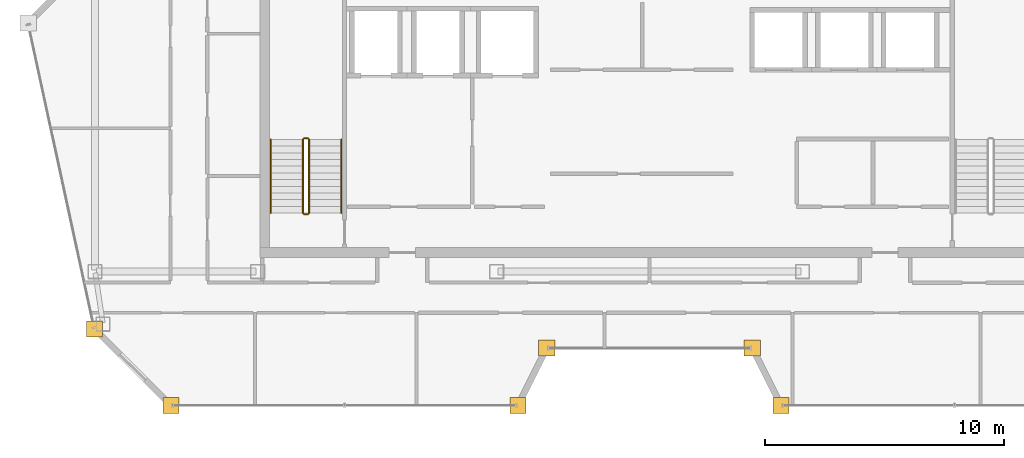
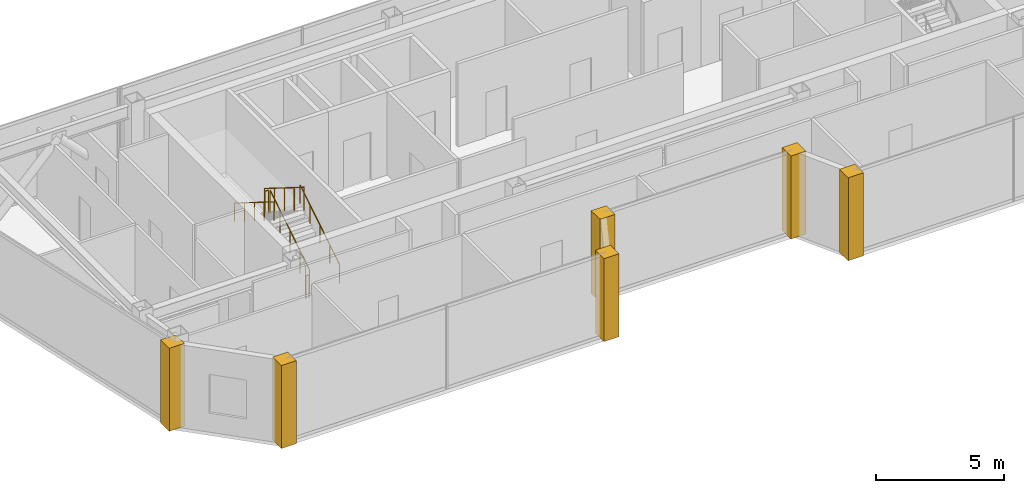
# One storey, part 18 of 20: 6 coverings, 6 railings.
"""IFC4 building model written with IfcOpenShell, lengths in metres."""

from ifc_helpers import new_model, si_unit, direction, frame, origin, origin_2d, place, context, subcontext, project, spatial, polyline, circle, outline, extrude, material, layer, layer_set, type_object, element, save


model = new_model("IFC4")

# Units and contexts
model_context = context("Model", 3, precision=1e-05, world=origin(), true_north=direction((0.0, 1.0)))
body_context = subcontext(model_context, "Body", "Model", "MODEL_VIEW")
ifc_project = project(units=[si_unit("LENGTHUNIT", "METRE"), si_unit("AREAUNIT", "SQUARE_METRE"), si_unit("VOLUMEUNIT", "CUBIC_METRE"), si_unit("PLANEANGLEUNIT", "RADIAN"), si_unit("MASSUNIT", "GRAM", prefix="KILO")], contexts=[model_context])

# Site, building, storey
site_placement = place(None, origin())
site = spatial("IfcSite", under=ifc_project, at=site_placement, CompositionType="ELEMENT")
building_placement = place(site_placement, origin())
building = spatial("IfcBuilding", under=site, at=building_placement, Name="Saevonmaru Cultural Tower", CompositionType="ELEMENT")
storey_placement = place(building_placement, frame((0.0, 0.0, 319.199951171875)))
storey = spatial("IfcBuildingStorey", under=building, at=storey_placement, Name="L76", CompositionType="ELEMENT", Elevation=319.199951171875)

# Coverings
ifc_material_1 = material(Name="Satin Bronze Anodised Aluminium", Category="aluminium")
ifc_layer = layer(ifc_material_1, 0.679931640625, Name="Satin Bronze Anodised Aluminium")
ifc_layer_set = layer_set([ifc_layer], Name="Satin Bronze Anodised Aluminium")
covering_type = type_object("IfcCoveringType", Name="CV-CORNER-CLAD", PredefinedType="CLADDING", material=ifc_layer_set)
covering_1_placement = place(storey_placement, origin())
element("IfcCovering", 1, at=covering_1_placement, inside=storey, type_object=covering_type, Name="L76 Tower Bronze Corner Cladding Pier 1", PredefinedType="CLADDING", context=body_context, shape_type="SweptSolid", body=[
    extrude(outline(polyline([(6.43310546875, 39.659912109375), (7.113037109375, 39.659912109375), (7.113037109375, 40.340087890625), (6.43310546875, 40.340087890625), (6.43310546875, 39.659912109375)])), origin(), (0.0, 0.0, 1.0), 3.949951171875),
])
covering_2_placement = place(storey_placement, origin())
element("IfcCovering", 2, at=covering_2_placement, inside=storey, type_object=covering_type, Name="L76 Tower Bronze Corner Cladding Pier 2", PredefinedType="CLADDING", context=body_context, shape_type="SweptSolid", body=[
    extrude(outline(polyline([(9.633056640625, 36.4599609375), (10.31298828125, 36.4599609375), (10.31298828125, 37.139892578125), (9.633056640625, 37.139892578125), (9.633056640625, 36.4599609375)])), origin(), (0.0, 0.0, 1.0), 3.949951171875),
])
covering_3_placement = place(storey_placement, origin())
element("IfcCovering", 3, at=covering_3_placement, inside=storey, type_object=covering_type, Name="L76 Tower Bronze Corner Cladding Pier 3", PredefinedType="CLADDING", context=body_context, shape_type="SweptSolid", body=[
    extrude(outline(polyline([(24.159912109375, 36.4599609375), (24.840087890625, 36.4599609375), (24.840087890625, 37.139892578125), (24.159912109375, 37.139892578125), (24.159912109375, 36.4599609375)])), origin(), (0.0, 0.0, 1.0), 3.949951171875),
])
covering_4_placement = place(storey_placement, origin())
element("IfcCovering", 4, at=covering_4_placement, inside=storey, type_object=covering_type, Name="L76 Tower Bronze Corner Cladding Pier 4", PredefinedType="CLADDING", context=body_context, shape_type="SweptSolid", body=[
    extrude(outline(polyline([(25.360107421875, 38.860107421875), (26.0400390625, 38.860107421875), (26.0400390625, 39.5400390625), (25.360107421875, 39.5400390625), (25.360107421875, 38.860107421875)])), origin(), (0.0, 0.0, 1.0), 3.949951171875),
])
covering_5_placement = place(storey_placement, origin())
element("IfcCovering", 5, at=covering_5_placement, inside=storey, type_object=covering_type, Name="L76 Tower Bronze Corner Cladding Pier 5", PredefinedType="CLADDING", context=body_context, shape_type="SweptSolid", body=[
    extrude(outline(polyline([(33.9599609375, 38.860107421875), (34.639892578125, 38.860107421875), (34.639892578125, 39.5400390625), (33.9599609375, 39.5400390625), (33.9599609375, 38.860107421875)])), origin(), (0.0, 0.0, 1.0), 3.949951171875),
])
covering_6_placement = place(storey_placement, origin())
element("IfcCovering", 6, at=covering_6_placement, inside=storey, type_object=covering_type, Name="L76 Tower Bronze Corner Cladding Pier 6", PredefinedType="CLADDING", context=body_context, shape_type="SweptSolid", body=[
    extrude(outline(polyline([(35.159912109375, 36.4599609375), (35.840087890625, 36.4599609375), (35.840087890625, 37.139892578125), (35.159912109375, 37.139892578125), (35.159912109375, 36.4599609375)])), origin(), (0.0, 0.0, 1.0), 3.949951171875),
])

# Railings
ifc_material_2 = material(Name="Architectural Painted Steel", Category="steel")
railing_type_1 = type_object("IfcRailingType", Name="RL-STAIR-GUARD", PredefinedType="GUARDRAIL", material=ifc_material_2)
railing_1_placement = place(storey_placement, frame((15.75, 44.85009765625, 0.175048828125)))
element("IfcRailing", 7, at=railing_1_placement, inside=storey, type_object=railing_type_1, Name="L76 ST-1 stair guard 1", PredefinedType="GUARDRAIL", context=body_context, shape_type="SweptSolid", body=[
    extrude(circle(Radius=0.02392578125, at=origin_2d()), frame((0.0, 0.0, 1.09619140625), z_axis=(0.0, 0.847979421464, 0.530029150871), x_axis=(-1.0, 0.0, 0.0)), (0.0, 0.0, 1.0), 3.632080078125),
    extrude(circle(Radius=0.02099609375, at=origin_2d()), origin(), (0.0, 0.0, 1.0), 1.072021484375),
    extrude(circle(Radius=0.02099609375, at=origin_2d()), frame((0.0, 0.77001953125, 0.481201171875)), (0.0, 0.0, 1.0), 1.072021484375),
    extrude(circle(Radius=0.02099609375, at=origin_2d()), frame((0.0, 1.5400390625, 0.96240234375)), (0.0, 0.0, 1.0), 1.072021484375),
    extrude(circle(Radius=0.02099609375, at=origin_2d()), frame((0.0, 2.309814453125, 1.44384765625)), (0.0, 0.0, 1.0), 1.072021484375),
    extrude(circle(Radius=0.02099609375, at=origin_2d()), frame((0.0, 3.079833984375, 1.925048828125)), (0.0, 0.0, 1.0), 1.072021484375),
])
railing_2_placement = place(storey_placement, frame((15.699951171875, 47.97998046875, 2.10009765625)))
element("IfcRailing", 8, at=railing_2_placement, inside=storey, type_object=railing_type_1, Name="L76 ST-1 stair guard 2", PredefinedType="GUARDRAIL", context=body_context, shape_type="SweptSolid", body=[
    extrude(circle(Radius=0.02392578125, at=origin_2d()), frame((0.0, 0.0, 1.09619140625), z_axis=(-1.0, 0.0, 0.0), x_axis=(0.0, -1.0, 0.0)), (0.0, 0.0, 1.0), 0.14990234375),
    extrude(circle(Radius=0.02099609375, at=origin_2d()), origin(), (0.0, 0.0, 1.0), 1.072021484375),
    extrude(circle(Radius=0.02099609375, at=origin_2d()), frame((-0.14990234375, 0.0, 0.0)), (0.0, 0.0, 1.0), 1.072021484375),
])
railing_3_placement = place(storey_placement, frame((15.5, 47.929931640625, 2.275146484375)))
element("IfcRailing", 9, at=railing_3_placement, inside=storey, type_object=railing_type_1, Name="L76 ST-1 stair guard 3", PredefinedType="GUARDRAIL", context=body_context, shape_type="SweptSolid", body=[
    extrude(circle(Radius=0.02392578125, at=origin_2d()), frame((0.0, 0.0, 1.09619140625), z_axis=(0.0, -0.848009633417, 0.529980812513), x_axis=(1.0, 0.0, 0.0)), (0.0, 0.0, 1.0), 3.6318359375),
    extrude(circle(Radius=0.02099609375, at=origin_2d()), origin(), (0.0, 0.0, 1.0), 1.072021484375),
    extrude(circle(Radius=0.02099609375, at=origin_2d()), frame((0.0, -0.77001953125, 0.481201171875)), (0.0, 0.0, 1.0), 1.072021484375),
    extrude(circle(Radius=0.02099609375, at=origin_2d()), frame((0.0, -1.5400390625, 0.96240234375)), (0.0, 0.0, 1.0), 1.072021484375),
    extrude(circle(Radius=0.02099609375, at=origin_2d()), frame((0.0, -2.309814453125, 1.443603515625)), (0.0, 0.0, 1.0), 1.072021484375),
    extrude(circle(Radius=0.02099609375, at=origin_2d()), frame((0.0, -3.079833984375, 1.9248046875)), (0.0, 0.0, 1.0), 1.072021484375),
])
railing_4_placement = place(storey_placement, frame((15.699951171875, 44.800048828125, 0.0)))
element("IfcRailing", 10, at=railing_4_placement, inside=storey, type_object=railing_type_1, Name="L76 ST-1 stair guard 4", PredefinedType="GUARDRAIL", context=body_context, shape_type="SweptSolid", body=[
    extrude(circle(Radius=0.02392578125, at=origin_2d()), frame((0.0, 0.0, 1.09619140625), z_axis=(-1.0, 0.0, 0.0), x_axis=(0.0, -1.0, 0.0)), (0.0, 0.0, 1.0), 0.14990234375),
    extrude(circle(Radius=0.02099609375, at=origin_2d()), origin(), (0.0, 0.0, 1.0), 1.072021484375),
    extrude(circle(Radius=0.02099609375, at=origin_2d()), frame((-0.14990234375, 0.0, 0.0)), (0.0, 0.0, 1.0), 1.072021484375),
])
railing_type_2 = type_object("IfcRailingType", Name="RL-STAIR-HANDRAIL", PredefinedType="HANDRAIL", material=ifc_material_1)
railing_5_placement = place(storey_placement, frame((17.10009765625, 44.85009765625, 0.175048828125)))
element("IfcRailing", 11, at=railing_5_placement, inside=storey, type_object=railing_type_2, Name="L76 ST-1 stair handrail 1", PredefinedType="HANDRAIL", context=body_context, shape_type="SweptSolid", body=[
    extrude(circle(Radius=0.02392578125, at=origin_2d()), frame((0.0, 0.0, 0.8759765625), z_axis=(0.0, 0.847979421464, 0.530029150871), x_axis=(-1.0, 0.0, 0.0)), (0.0, 0.0, 1.0), 3.632080078125),
    extrude(circle(Radius=0.02099609375, at=origin_2d()), origin(), (0.0, 0.0, 1.0), 0.851806640625),
    extrude(circle(Radius=0.02099609375, at=origin_2d()), frame((0.0, 0.77001953125, 0.481201171875)), (0.0, 0.0, 1.0), 0.851806640625),
    extrude(circle(Radius=0.02099609375, at=origin_2d()), frame((0.0, 1.5400390625, 0.96240234375)), (0.0, 0.0, 1.0), 0.851806640625),
    extrude(circle(Radius=0.02099609375, at=origin_2d()), frame((0.0, 2.309814453125, 1.44384765625)), (0.0, 0.0, 1.0), 0.851806640625),
    extrude(circle(Radius=0.02099609375, at=origin_2d()), frame((0.0, 3.079833984375, 1.925048828125)), (0.0, 0.0, 1.0), 0.851806640625),
])
railing_6_placement = place(storey_placement, frame((14.14990234375, 47.929931640625, 2.275146484375)))
element("IfcRailing", 12, at=railing_6_placement, inside=storey, type_object=railing_type_2, Name="L76 ST-1 stair handrail 2", PredefinedType="HANDRAIL", context=body_context, shape_type="SweptSolid", body=[
    extrude(circle(Radius=0.02392578125, at=origin_2d()), frame((0.0, 0.0, 0.8759765625), z_axis=(0.0, -0.848009633417, 0.529980812513), x_axis=(1.0, 0.0, 0.0)), (0.0, 0.0, 1.0), 3.6318359375),
    extrude(circle(Radius=0.02099609375, at=origin_2d()), origin(), (0.0, 0.0, 1.0), 0.851806640625),
    extrude(circle(Radius=0.02099609375, at=origin_2d()), frame((0.0, -0.77001953125, 0.481201171875)), (0.0, 0.0, 1.0), 0.851806640625),
    extrude(circle(Radius=0.02099609375, at=origin_2d()), frame((0.0, -1.5400390625, 0.96240234375)), (0.0, 0.0, 1.0), 0.851806640625),
    extrude(circle(Radius=0.02099609375, at=origin_2d()), frame((0.0, -2.309814453125, 1.443603515625)), (0.0, 0.0, 1.0), 0.851806640625),
    extrude(circle(Radius=0.02099609375, at=origin_2d()), frame((0.0, -3.079833984375, 1.9248046875)), (0.0, 0.0, 1.0), 0.851806640625),
])

save(model, "model.ifc")
